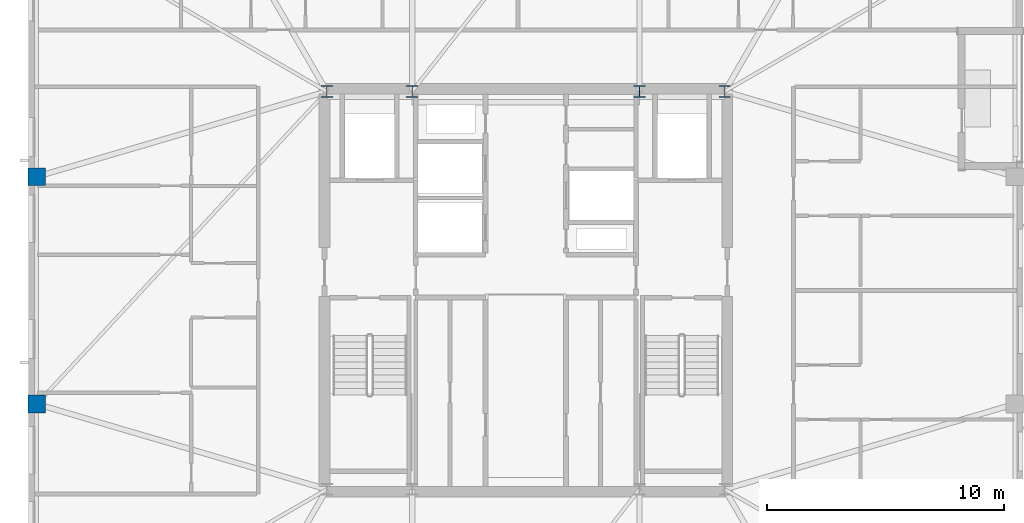
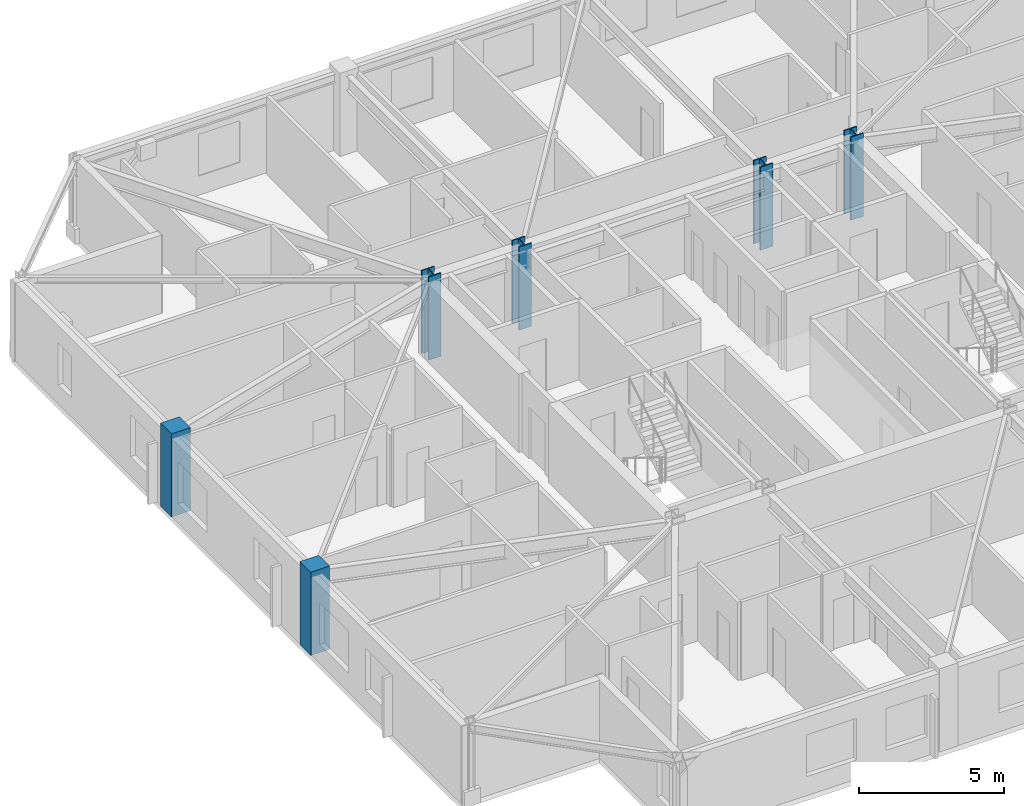
# One storey, part 2 of 16: 6 columns.
"""IFC4 building model written with IfcOpenShell, lengths in metres."""

from ifc_helpers import new_model, si_unit, direction, frame, origin, origin_2d, place, context, subcontext, project, spatial, rectangle, i_section, extrude, material, material_profile, profile_set, type_object, element, save


model = new_model("IFC4")

# Units and contexts
model_context = context("Model", 3, precision=1e-05, world=origin(), true_north=direction((0.0, 1.0)))
body_context = subcontext(model_context, "Body", "Model", "MODEL_VIEW")
ifc_project = project(units=[si_unit("LENGTHUNIT", "METRE"), si_unit("AREAUNIT", "SQUARE_METRE"), si_unit("VOLUMEUNIT", "CUBIC_METRE"), si_unit("PLANEANGLEUNIT", "RADIAN"), si_unit("MASSUNIT", "GRAM", prefix="KILO")], contexts=[model_context])

# Site, building, storey
site_placement = place(None, origin())
site = spatial("IfcSite", under=ifc_project, at=site_placement, CompositionType="ELEMENT")
building_placement = place(site_placement, origin())
building = spatial("IfcBuilding", under=site, at=building_placement, Name="Cairnveth Concourse Tower", CompositionType="ELEMENT")
storey_placement = place(building_placement, frame((0.0, 0.0, 312.0)))
storey = spatial("IfcBuildingStorey", under=building, at=storey_placement, Name="L86", CompositionType="ELEMENT", Elevation=312.0)

# Columns
ifc_material_1 = material(Name="Concrete N50 (50 MPa)", Category="concrete")
ifc_material_profile_1 = material_profile(ifc_material_1, rectangle(XDim=0.75, YDim=0.75, at=origin_2d()), Name="RC-COL-750x750")
ifc_profile_set_1 = profile_set([ifc_material_profile_1], Name="Concrete N50 (50 MPa)")
column_type_1 = type_object("IfcColumnType", Name="PERIMETER PIER COLUMN 750X750", PredefinedType="COLUMN", material=ifc_profile_set_1)
for number, where, z_axis, x_axis, name in (
    (1, (31.35009765625, 43.800048828125, 0.0), (0.0, 0.0, 1.0), (0.0, 1.0, 0.0), "Column P-W2 L86"),
    (2, (31.35009765625, 34.199951171875, 0.0), (0.0, 0.0, 1.0), (0.0, 1.0, 0.0), "Column P-W3 L86"),
):
    element("IfcColumn", number, at=place(storey_placement, frame(where, z_axis=z_axis, x_axis=x_axis)), inside=storey, type_object=column_type_1, Name=name, PredefinedType="COLUMN", context=body_context, shape_type="SweptSolid", body=[
        extrude(rectangle(XDim=0.75, YDim=0.75, at=origin_2d()), origin(), (0.0, 0.0, 1.0), 3.5),
    ])
ifc_material_2 = material(Name="Steel Grade 350", Category="steel")
ifc_material_profile_2 = material_profile(ifc_material_2, i_section(OverallWidth=0.5, OverallDepth=0.5, WebThickness=0.028076171875, FlangeThickness=0.044921875, at=origin_2d()), Name="500WC383")
ifc_profile_set_2 = profile_set([ifc_material_profile_2], Name="Steel Grade 350")
column_type_2 = type_object("IfcColumnType", Name="WELDED STEEL COLUMN 500WC383", PredefinedType="COLUMN", material=ifc_profile_set_2)
for number, where, z_axis, x_axis, name in (
    (3, (43.60009765625, 47.39990234375, 0.0), (0.0, 0.0, 1.0), (1.0, 0.0, 0.0), "Column CC5 L86"),
    (4, (47.199951171875, 47.39990234375, 0.0), (0.0, 0.0, 1.0), (1.0, 0.0, 0.0), "Column CC6 L86"),
    (5, (56.800048828125, 47.39990234375, 0.0), (0.0, 0.0, 1.0), (1.0, 0.0, 0.0), "Column CC7 L86"),
    (6, (60.39990234375, 47.39990234375, 0.0), (0.0, 0.0, 1.0), (1.0, 0.0, 0.0), "Column CC8 L86"),
):
    element("IfcColumn", number, at=place(storey_placement, frame(where, z_axis=z_axis, x_axis=x_axis)), inside=storey, type_object=column_type_2, Name=name, PredefinedType="COLUMN", context=body_context, shape_type="SweptSolid", body=[
        extrude(i_section(OverallWidth=0.5, OverallDepth=0.5, WebThickness=0.028076171875, FlangeThickness=0.044921875, at=origin_2d()), origin(), (0.0, 0.0, 1.0), 3.5),
    ])

save(model, "model.ifc")
